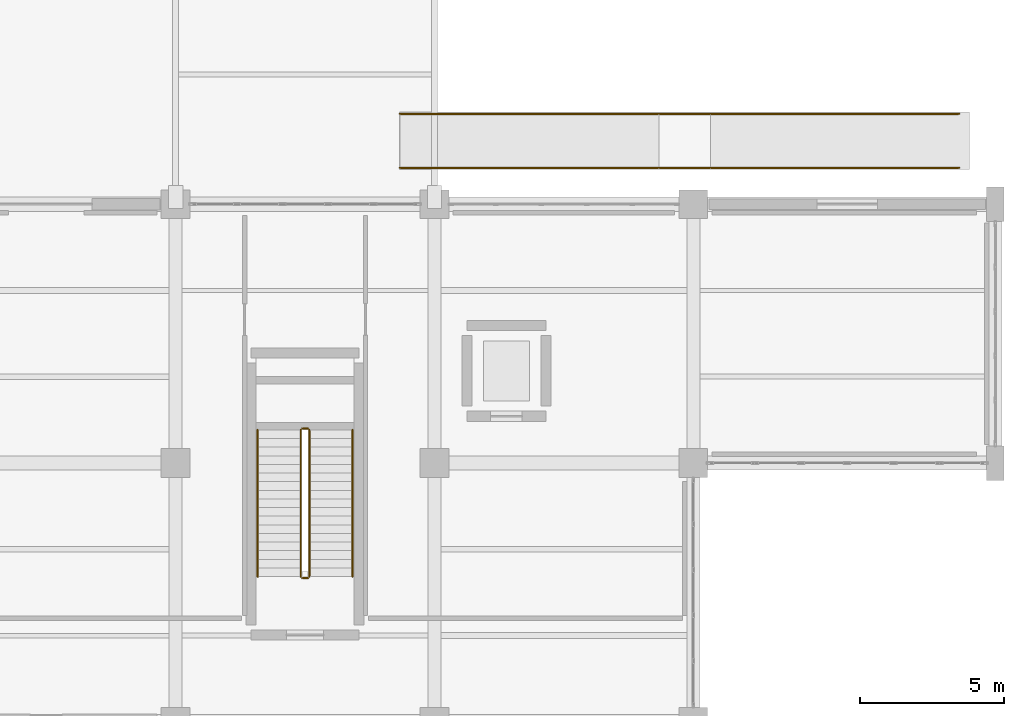
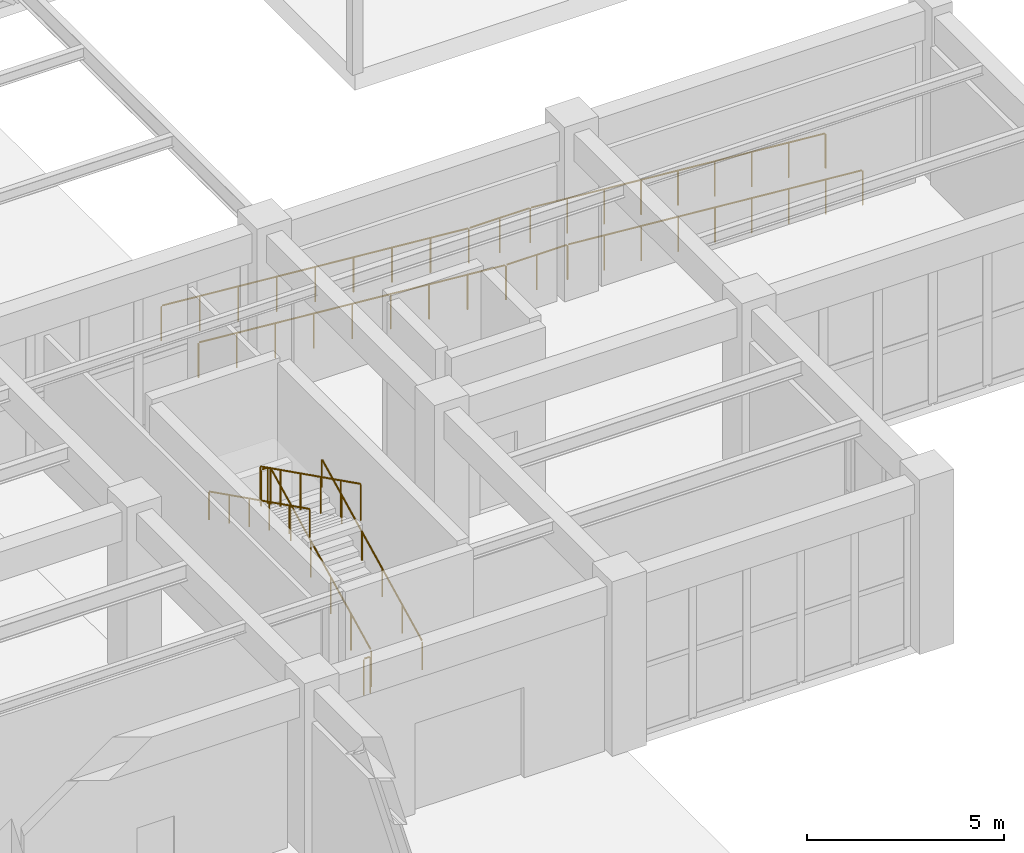
# One storey, part 137 of 140: 8 railings.
"""IFC4 building model written with IfcOpenShell, lengths in metres."""

import ifcopenshell
import ifcopenshell.guid

model = None  # the IFC model being written
_history = None  # IfcOwnerHistory: only IFC2X3 demands one
_inside = {}  # id of a spatial element -> (the spatial element, [elements in it])
_under = {}  # id of a project, library or spatial element -> (it, [spatial elements below it])
_declared = {}  # id of a project -> (the project, [libraries it declares])
_typed = {}  # id of a type object -> (the type object, [elements of that type])
_made_of = {}  # id of a material, layer set ... -> (it, [elements and type objects made of it])


def new_model(schema):
    """Start an empty IFC model of exactly this schema.

    Asked for "IFC4X3", IfcOpenShell would pick the latest addendum, in which some entities
    have other attributes; the version numbers below select the first issue.
    IFC2X3 requires an IfcOwnerHistory on every rooted entity: one is made here for all.
    """
    global model, _history
    if schema == "IFC4X3":
        model = ifcopenshell.file(schema_version=(4, 3, 0, 0))
    else:
        model = ifcopenshell.file(schema=schema)
    _inside.clear()
    _under.clear()
    _declared.clear()
    _typed.clear()
    _made_of.clear()
    _history = None
    if model.schema == "IFC2X3":
        org = make("IfcOrganization", Name="unknown")
        user = make(
            "IfcPersonAndOrganization",
            ThePerson=make("IfcPerson", FamilyName="unknown"),
            TheOrganization=org,
        )
        app = make(
            "IfcApplication",
            ApplicationDeveloper=org,
            Version="unknown",
            ApplicationFullName="unknown",
            ApplicationIdentifier="unknown",
        )
        _history = make(
            "IfcOwnerHistory",
            OwningUser=user,
            OwningApplication=app,
            ChangeAction="ADDED",
            CreationDate=0,
        )
    return model


def make(cls, **values):
    """One entity of the class cls with the attributes given. An attribute that is None is left unset."""
    return model.create_entity(
        cls, **{name: value for name, value in values.items() if value is not None}
    )


def rooted(cls, **values):
    """An entity with a GlobalId (a new one), such as an element, a storey or a relation."""
    return make(cls, GlobalId=ifcopenshell.guid.new(), OwnerHistory=_history, **values)


def si_unit(unit_type, name, prefix=None):
    """IfcSIUnit, for example si_unit("LENGTHUNIT", "METRE", prefix="MILLI")."""
    return make("IfcSIUnit", UnitType=unit_type, Prefix=prefix, Name=name)


def assignment(units):
    """IfcUnitAssignment: the units of a project."""
    return None if units is None else make("IfcUnitAssignment", Units=units)


def point(xyz):
    """IfcCartesianPoint."""
    return None if xyz is None else make("IfcCartesianPoint", Coordinates=xyz)


def direction(xyz):
    """IfcDirection."""
    return None if xyz is None else make("IfcDirection", DirectionRatios=xyz)


def frame(location, z_axis=None, x_axis=None):
    """IfcAxis2Placement3D, a coordinate frame: its origin and axes. An axis left out is left unset."""
    return make(
        "IfcAxis2Placement3D",
        Location=point(location),
        Axis=direction(z_axis),
        RefDirection=direction(x_axis),
    )


def frame_2d(location, x_axis=None):
    """IfcAxis2Placement2D, a coordinate frame in the plane: its origin and x axis."""
    return make(
        "IfcAxis2Placement2D", Location=point(location), RefDirection=direction(x_axis)
    )


def origin():
    """The frame at (0, 0, 0) with its axes left unset."""
    return frame((0.0, 0.0, 0.0))


def origin_2d():
    """The frame at (0, 0) in the plane with its x axis left unset."""
    return frame_2d((0.0, 0.0))


def place(relative_to, where):
    """IfcLocalPlacement: puts the frame where relative to a parent placement (None: the world)."""
    return make(
        "IfcLocalPlacement", PlacementRelTo=relative_to, RelativePlacement=where
    )


def context(
    kind, dimensions, precision=None, world=None, true_north=None, identifier=None
):
    """IfcGeometricRepresentationContext, for example the 3D "Model" context."""
    return make(
        "IfcGeometricRepresentationContext",
        ContextIdentifier=identifier,
        ContextType=kind,
        CoordinateSpaceDimension=dimensions,
        Precision=precision,
        WorldCoordinateSystem=world,
        TrueNorth=true_north,
    )


def subcontext(parent, identifier, kind, view, scale=None):
    """IfcGeometricRepresentationSubContext, for example "Body" below "Model"."""
    return make(
        "IfcGeometricRepresentationSubContext",
        ContextIdentifier=identifier,
        ContextType=kind,
        ParentContext=parent,
        TargetScale=scale,
        TargetView=view,
    )


def project(units=None, contexts=None):
    """IfcProject with its units and contexts."""
    return rooted(
        "IfcProject",
        Name="project",
        RepresentationContexts=contexts,
        UnitsInContext=assignment(units),
    )


def spatial(cls, under=None, at=None, **own):
    """A site, building, storey or space (cls), placed at a placement, below another one or the project."""
    s = rooted(cls, ObjectPlacement=at, **own)
    if under is not None:
        _under.setdefault(under.id(), (under, []))[1].append(s)
    return s


def profile(cls, at=None, kind="AREA", **sizes):
    """A parametric profile (cls). Its sizes go by their IFC names, for example OverallWidth=200.0."""
    return make(cls, ProfileType=kind, Position=at, **sizes)


def circle(**sizes):
    """IfcCircleProfileDef."""
    return profile("IfcCircleProfileDef", **sizes)


def extrude(swept, where, along, depth):
    """IfcExtrudedAreaSolid: the profile swept, set in the frame where, extruded along a direction by depth."""
    return make(
        "IfcExtrudedAreaSolid",
        SweptArea=swept,
        Position=where,
        ExtrudedDirection=direction(along),
        Depth=depth,
    )


def shape(context_of_items, identifier, shape_type, items):
    """IfcShapeRepresentation: the items that make up one representation, for example the "Body"."""
    return make(
        "IfcShapeRepresentation",
        ContextOfItems=context_of_items,
        RepresentationIdentifier=identifier,
        RepresentationType=shape_type,
        Items=items,
    )


def material(Name=None, Category=None):
    """IfcMaterial."""
    return make("IfcMaterial", Name=Name, Category=Category)


def made_of(thing, what):
    """Note that an element or type object is made of a material, layer set ...; save() writes the relation."""
    if what is not None:
        _made_of.setdefault(what.id(), (what, []))[1].append(thing)
    return thing


def type_object(cls, material=None, **own):
    """A type object (cls), such as IfcWallType, which elements share."""
    return made_of(rooted(cls, **own), material)


def element(
    cls,
    number,
    at=None,
    inside=None,
    cuts=None,
    type_object=None,
    material=None,
    context=None,
    identifier="Body",
    shape_type=None,
    held_by="IfcProductDefinitionShape",
    body=None,
    shapes=None,
    **own,
):
    """One element of the class cls, such as IfcWall. Its Tag is "e" and its number.

    at: its placement. inside: the storey or other place that contains it. cuts: it is an
    opening in that element (IfcRelVoidsElement). A single representation is given by context,
    identifier, shape_type and body (its items); several are given by shapes. held_by: the class
    of the entity that holds the representations. save() writes the other relations.
    """
    e = rooted(cls, Tag="e%d" % number, ObjectPlacement=at, **own)
    if body is not None:
        shapes = [shape(context, identifier, shape_type, body)]
    if shapes is not None:
        e.Representation = make(held_by, Representations=shapes)
    if inside is not None:
        _inside.setdefault(inside.id(), (inside, []))[1].append(e)
    if cuts is not None:
        rooted(
            "IfcRelVoidsElement", RelatingBuildingElement=cuts, RelatedOpeningElement=e
        )
    if type_object is not None:
        _typed.setdefault(type_object.id(), (type_object, []))[1].append(e)
    return made_of(e, material)


def aggregate(whole, parts):
    """IfcRelAggregates: a whole, such as a stair, and the parts it consists of."""
    return rooted("IfcRelAggregates", RelatingObject=whole, RelatedObjects=parts)


def save(model, path):
    """Write the relations noted so far, then the file.

    IfcRelAggregates (storeys below a building ...), IfcRelContainedInSpatialStructure (elements
    in a storey), IfcRelDefinesByType, IfcRelAssociatesMaterial and IfcRelDeclares: one each for
    every whole, place, type object, material and project.
    """
    for whole, parts in _under.values():
        aggregate(whole, parts)
    for where, things in _inside.values():
        rooted(
            "IfcRelContainedInSpatialStructure",
            RelatedElements=things,
            RelatingStructure=where,
        )
    for kind, things in _typed.values():
        rooted("IfcRelDefinesByType", RelatedObjects=things, RelatingType=kind)
    for what, things in _made_of.values():
        rooted("IfcRelAssociatesMaterial", RelatedObjects=things, RelatingMaterial=what)
    for by, libraries in _declared.values():
        rooted("IfcRelDeclares", RelatingContext=by, RelatedDefinitions=libraries)
    model.write(path)


model = new_model("IFC4")

# Units and contexts
model_context = context("Model", 3, precision=1e-05, world=origin(), true_north=direction((0.0, 1.0)))
body_context = subcontext(model_context, "Body", "Model", "MODEL_VIEW")
ifc_project = project(units=[si_unit("LENGTHUNIT", "METRE"), si_unit("AREAUNIT", "SQUARE_METRE"), si_unit("VOLUMEUNIT", "CUBIC_METRE"), si_unit("PLANEANGLEUNIT", "RADIAN"), si_unit("MASSUNIT", "GRAM", prefix="KILO")], contexts=[model_context])

# Site, building, storey
site_placement = place(None, origin())
site = spatial("IfcSite", under=ifc_project, at=site_placement, CompositionType="ELEMENT")
building_placement = place(site_placement, origin())
building = spatial("IfcBuilding", under=site, at=building_placement, Name="Haizhuo Lancet Aquarium", CompositionType="ELEMENT")
storey_placement = place(building_placement, origin())
storey = spatial("IfcBuildingStorey", under=building, at=storey_placement, Name="L00", CompositionType="ELEMENT", Elevation=0.0)

# Railings
ifc_material = material(Name="Steel S355", Category="steel")
railing_type_1 = type_object("IfcRailingType", Name="RL-GRD-1150", PredefinedType="GUARDRAIL", material=ifc_material)
railing_1_placement = place(storey_placement, frame((58.64990234375, -21.949951171875, 0.14990234375)))
element("IfcRailing", 1, at=railing_1_placement, inside=storey, type_object=railing_type_1, Name="L00 ST-05 stair guard 1", PredefinedType="GUARDRAIL", context=body_context, shape_type="SweptSolid", body=[
    extrude(circle(Radius=0.02392578125, at=origin_2d()), frame((0.0, 0.02685546875, 1.13916015625), z_axis=(0.0, 0.894418627299, 0.447230722492), x_axis=(-1.0, 0.0, 0.0)), (0.0, 0.0, 1.0), 5.641845703125),
    extrude(circle(Radius=0.02099609375, at=origin_2d()), origin(), (0.0, 0.0, 1.0), 1.097900390625),
    extrude(circle(Radius=0.02099609375, at=origin_2d()), frame((0.0, 1.02001953125, 0.510009765625)), (0.0, 0.0, 1.0), 1.097900390625),
    extrude(circle(Radius=0.02099609375, at=origin_2d()), frame((0.0, 2.0400390625, 1.02001953125)), (0.0, 0.0, 1.0), 1.097900390625),
    extrude(circle(Radius=0.02099609375, at=origin_2d()), frame((0.0, 3.059814453125, 1.530029296875)), (0.0, 0.0, 1.0), 1.097900390625),
    extrude(circle(Radius=0.02099609375, at=origin_2d()), frame((0.0, 4.079833984375, 2.0400390625)), (0.0, 0.0, 1.0), 1.097900390625),
    extrude(circle(Radius=0.02099609375, at=origin_2d()), frame((0.0, 5.099853515625, 2.550048828125)), (0.0, 0.0, 1.0), 1.097900390625),
])
railing_2_placement = place(storey_placement, frame((58.60009765625, -16.800048828125, 2.699951171875)))
element("IfcRailing", 2, at=railing_2_placement, inside=storey, type_object=railing_type_1, Name="L00 ST-05 stair guard 2", PredefinedType="GUARDRAIL", context=body_context, shape_type="SweptSolid", body=[
    extrude(circle(Radius=0.02392578125, at=origin_2d()), frame((-0.030029296875, 0.0, 1.1259765625), z_axis=(-1.0, 0.0, 0.0), x_axis=(0.0, -1.0, 0.0)), (0.0, 0.0, 1.0), 0.14013671875),
    extrude(circle(Radius=0.02099609375, at=origin_2d()), origin(), (0.0, 0.0, 1.0), 1.097900390625),
    extrude(circle(Radius=0.02099609375, at=origin_2d()), frame((-0.2001953125, 0.0, 0.0)), (0.0, 0.0, 1.0), 1.097900390625),
])
railing_3_placement = place(storey_placement, frame((58.35009765625, -16.85009765625, 2.85009765625)))
element("IfcRailing", 3, at=railing_3_placement, inside=storey, type_object=railing_type_1, Name="L00 ST-05 stair guard 3", PredefinedType="GUARDRAIL", context=body_context, shape_type="SweptSolid", body=[
    extrude(circle(Radius=0.02392578125, at=origin_2d()), frame((0.0, -0.02685546875, 1.13916015625), z_axis=(0.0, -0.894435754537, 0.447196468016), x_axis=(1.0, 0.0, 0.0)), (0.0, 0.0, 1.0), 5.641845703125),
    extrude(circle(Radius=0.02099609375, at=origin_2d()), origin(), (0.0, 0.0, 1.0), 1.097900390625),
    extrude(circle(Radius=0.02099609375, at=origin_2d()), frame((0.0, -1.02001953125, 0.510009765625)), (0.0, 0.0, 1.0), 1.097900390625),
    extrude(circle(Radius=0.02099609375, at=origin_2d()), frame((0.0, -2.0400390625, 1.02001953125)), (0.0, 0.0, 1.0), 1.097900390625),
    extrude(circle(Radius=0.02099609375, at=origin_2d()), frame((0.0, -3.059814453125, 1.52978515625)), (0.0, 0.0, 1.0), 1.097900390625),
    extrude(circle(Radius=0.02099609375, at=origin_2d()), frame((0.0, -4.079833984375, 2.039794921875)), (0.0, 0.0, 1.0), 1.097900390625),
    extrude(circle(Radius=0.02099609375, at=origin_2d()), frame((0.0, -5.099853515625, 2.5498046875)), (0.0, 0.0, 1.0), 1.097900390625),
])
railing_4_placement = place(storey_placement, frame((58.60009765625, -22.0, 0.0)))
element("IfcRailing", 4, at=railing_4_placement, inside=storey, type_object=railing_type_1, Name="L00 ST-05 stair guard 4", PredefinedType="GUARDRAIL", context=body_context, shape_type="SweptSolid", body=[
    extrude(circle(Radius=0.02392578125, at=origin_2d()), frame((-0.030029296875, 0.0, 1.1259765625), z_axis=(-1.0, 0.0, 0.0), x_axis=(0.0, -1.0, 0.0)), (0.0, 0.0, 1.0), 0.14013671875),
    extrude(circle(Radius=0.02099609375, at=origin_2d()), origin(), (0.0, 0.0, 1.0), 1.097900390625),
    extrude(circle(Radius=0.02099609375, at=origin_2d()), frame((-0.2001953125, 0.0, 0.0)), (0.0, 0.0, 1.0), 1.097900390625),
])
railing_5_placement = place(storey_placement, frame((81.239990234375, -7.739990234375, -1.469970703125)))
element("IfcRailing", 5, at=railing_5_placement, inside=storey, type_object=railing_type_1, material=ifc_material, Name="East Avenue Accessible Plinth Ramp RMP-02 edge rail 1", PredefinedType="GUARDRAIL", context=body_context, shape_type="SweptSolid", body=[
    extrude(circle(Radius=0.02392578125, at=origin_2d()), frame((-0.02978515625, 0.0, 1.07861328125), z_axis=(-0.996545952447, 0.0, 0.08304314939), x_axis=(0.0, -1.0, 0.0)), (0.0, 0.0, 1.0), 8.60986328125),
    extrude(circle(Radius=0.02392578125, at=origin_2d()), frame((-8.669921875, 0.0, 1.7958984375), z_axis=(-1.0, 0.0, 0.0), x_axis=(0.0, -1.0, 0.0)), (0.0, 0.0, 1.0), 1.739990234375),
    extrude(circle(Radius=0.02392578125, at=origin_2d()), frame((-10.4697265625, 0.0, 1.798583984375), z_axis=(-0.996545758245, 0.0, 0.083045479854), x_axis=(0.0, -1.0, 0.0)), (0.0, 0.0, 1.0), 8.97119140625),
    extrude(circle(Radius=0.02099609375, at=origin_2d()), origin(), (0.0, 0.0, 1.0), 1.048095703125),
    extrude(circle(Radius=0.02099609375, at=origin_2d()), frame((-1.080078125, 0.0, 0.090087890625)), (0.0, 0.0, 1.0), 1.048095703125),
    extrude(circle(Radius=0.02099609375, at=origin_2d()), frame((-2.159912109375, 0.0, 0.179931640625)), (0.0, 0.0, 1.0), 1.048095703125),
    extrude(circle(Radius=0.02099609375, at=origin_2d()), frame((-3.239990234375, 0.0, 0.27001953125)), (0.0, 0.0, 1.0), 1.048095703125),
    extrude(circle(Radius=0.02099609375, at=origin_2d()), frame((-4.31982421875, 0.0, 0.35986328125)), (0.0, 0.0, 1.0), 1.048095703125),
    extrude(circle(Radius=0.02099609375, at=origin_2d()), frame((-5.39990234375, 0.0, 0.449951171875)), (0.0, 0.0, 1.0), 1.048095703125),
    extrude(circle(Radius=0.02099609375, at=origin_2d()), frame((-6.47998046875, 0.0, 0.5400390625)), (0.0, 0.0, 1.0), 1.048095703125),
    extrude(circle(Radius=0.02099609375, at=origin_2d()), frame((-7.559814453125, 0.0, 0.6298828125)), (0.0, 0.0, 1.0), 1.048095703125),
    extrude(circle(Radius=0.02099609375, at=origin_2d()), frame((-8.639892578125, 0.0, 0.719970703125)), (0.0, 0.0, 1.0), 1.048095703125),
    extrude(circle(Radius=0.02099609375, at=origin_2d()), frame((-9.5400390625, 0.0, 0.719970703125)), (0.0, 0.0, 1.0), 1.048095703125),
    extrude(circle(Radius=0.02099609375, at=origin_2d()), frame((-10.43994140625, 0.0, 0.719970703125)), (0.0, 0.0, 1.0), 1.048095703125),
    extrude(circle(Radius=0.02099609375, at=origin_2d()), frame((-11.56494140625, 0.0, 0.813720703125)), (0.0, 0.0, 1.0), 1.048095703125),
    extrude(circle(Radius=0.02099609375, at=origin_2d()), frame((-12.68994140625, 0.0, 0.907470703125)), (0.0, 0.0, 1.0), 1.048095703125),
    extrude(circle(Radius=0.02099609375, at=origin_2d()), frame((-13.81494140625, 0.0, 1.001220703125)), (0.0, 0.0, 1.0), 1.048095703125),
    extrude(circle(Radius=0.02099609375, at=origin_2d()), frame((-14.93994140625, 0.0, 1.094970703125)), (0.0, 0.0, 1.0), 1.048095703125),
    extrude(circle(Radius=0.02099609375, at=origin_2d()), frame((-16.06494140625, 0.0, 1.188720703125)), (0.0, 0.0, 1.0), 1.048095703125),
    extrude(circle(Radius=0.02099609375, at=origin_2d()), frame((-17.18994140625, 0.0, 1.282470703125)), (0.0, 0.0, 1.0), 1.048095703125),
    extrude(circle(Radius=0.02099609375, at=origin_2d()), frame((-18.31494140625, 0.0, 1.376220703125)), (0.0, 0.0, 1.0), 1.048095703125),
    extrude(circle(Radius=0.02099609375, at=origin_2d()), frame((-19.43994140625, 0.0, 1.469970703125)), (0.0, 0.0, 1.0), 1.048095703125),
])
railing_6_placement = place(storey_placement, frame((81.239990234375, -5.860107421875, -1.469970703125)))
element("IfcRailing", 6, at=railing_6_placement, inside=storey, type_object=railing_type_1, material=ifc_material, Name="East Avenue Accessible Plinth Ramp RMP-02 edge rail 2", PredefinedType="GUARDRAIL", context=body_context, shape_type="SweptSolid", body=[
    extrude(circle(Radius=0.02392578125, at=origin_2d()), frame((-0.02978515625, 0.0, 1.07861328125), z_axis=(-0.996545952447, 0.0, 0.08304314939), x_axis=(0.0, -1.0, 0.0)), (0.0, 0.0, 1.0), 8.60986328125),
    extrude(circle(Radius=0.02392578125, at=origin_2d()), frame((-8.669921875, 0.0, 1.7958984375), z_axis=(-1.0, 0.0, 0.0), x_axis=(0.0, -1.0, 0.0)), (0.0, 0.0, 1.0), 1.739990234375),
    extrude(circle(Radius=0.02392578125, at=origin_2d()), frame((-10.4697265625, 0.0, 1.798583984375), z_axis=(-0.996545758245, 0.0, 0.083045479854), x_axis=(0.0, -1.0, 0.0)), (0.0, 0.0, 1.0), 8.97119140625),
    extrude(circle(Radius=0.02099609375, at=origin_2d()), origin(), (0.0, 0.0, 1.0), 1.048095703125),
    extrude(circle(Radius=0.02099609375, at=origin_2d()), frame((-1.080078125, 0.0, 0.090087890625)), (0.0, 0.0, 1.0), 1.048095703125),
    extrude(circle(Radius=0.02099609375, at=origin_2d()), frame((-2.159912109375, 0.0, 0.179931640625)), (0.0, 0.0, 1.0), 1.048095703125),
    extrude(circle(Radius=0.02099609375, at=origin_2d()), frame((-3.239990234375, 0.0, 0.27001953125)), (0.0, 0.0, 1.0), 1.048095703125),
    extrude(circle(Radius=0.02099609375, at=origin_2d()), frame((-4.31982421875, 0.0, 0.35986328125)), (0.0, 0.0, 1.0), 1.048095703125),
    extrude(circle(Radius=0.02099609375, at=origin_2d()), frame((-5.39990234375, 0.0, 0.449951171875)), (0.0, 0.0, 1.0), 1.048095703125),
    extrude(circle(Radius=0.02099609375, at=origin_2d()), frame((-6.47998046875, 0.0, 0.5400390625)), (0.0, 0.0, 1.0), 1.048095703125),
    extrude(circle(Radius=0.02099609375, at=origin_2d()), frame((-7.559814453125, 0.0, 0.6298828125)), (0.0, 0.0, 1.0), 1.048095703125),
    extrude(circle(Radius=0.02099609375, at=origin_2d()), frame((-8.639892578125, 0.0, 0.719970703125)), (0.0, 0.0, 1.0), 1.048095703125),
    extrude(circle(Radius=0.02099609375, at=origin_2d()), frame((-9.5400390625, 0.0, 0.719970703125)), (0.0, 0.0, 1.0), 1.048095703125),
    extrude(circle(Radius=0.02099609375, at=origin_2d()), frame((-10.43994140625, 0.0, 0.719970703125)), (0.0, 0.0, 1.0), 1.048095703125),
    extrude(circle(Radius=0.02099609375, at=origin_2d()), frame((-11.56494140625, 0.0, 0.813720703125)), (0.0, 0.0, 1.0), 1.048095703125),
    extrude(circle(Radius=0.02099609375, at=origin_2d()), frame((-12.68994140625, 0.0, 0.907470703125)), (0.0, 0.0, 1.0), 1.048095703125),
    extrude(circle(Radius=0.02099609375, at=origin_2d()), frame((-13.81494140625, 0.0, 1.001220703125)), (0.0, 0.0, 1.0), 1.048095703125),
    extrude(circle(Radius=0.02099609375, at=origin_2d()), frame((-14.93994140625, 0.0, 1.094970703125)), (0.0, 0.0, 1.0), 1.048095703125),
    extrude(circle(Radius=0.02099609375, at=origin_2d()), frame((-16.06494140625, 0.0, 1.188720703125)), (0.0, 0.0, 1.0), 1.048095703125),
    extrude(circle(Radius=0.02099609375, at=origin_2d()), frame((-17.18994140625, 0.0, 1.282470703125)), (0.0, 0.0, 1.0), 1.048095703125),
    extrude(circle(Radius=0.02099609375, at=origin_2d()), frame((-18.31494140625, 0.0, 1.376220703125)), (0.0, 0.0, 1.0), 1.048095703125),
    extrude(circle(Radius=0.02099609375, at=origin_2d()), frame((-19.43994140625, 0.0, 1.469970703125)), (0.0, 0.0, 1.0), 1.048095703125),
])
railing_type_2 = type_object("IfcRailingType", Name="RL-HDR-900", PredefinedType="HANDRAIL", material=ifc_material)
railing_7_placement = place(storey_placement, frame((60.14990234375, -21.949951171875, 0.14990234375)))
element("IfcRailing", 7, at=railing_7_placement, inside=storey, type_object=railing_type_2, Name="L00 ST-05 pitch handrail 1", PredefinedType="HANDRAIL", context=body_context, shape_type="SweptSolid", body=[
    extrude(circle(Radius=0.02392578125, at=origin_2d()), frame((0.0, 0.02685546875, 0.88916015625), z_axis=(0.0, 0.894418627299, 0.447230722492), x_axis=(-1.0, 0.0, 0.0)), (0.0, 0.0, 1.0), 5.641845703125),
    extrude(circle(Radius=0.02099609375, at=origin_2d()), origin(), (0.0, 0.0, 1.0), 0.847900390625),
    extrude(circle(Radius=0.02099609375, at=origin_2d()), frame((0.0, 1.02001953125, 0.510009765625)), (0.0, 0.0, 1.0), 0.847900390625),
    extrude(circle(Radius=0.02099609375, at=origin_2d()), frame((0.0, 2.0400390625, 1.02001953125)), (0.0, 0.0, 1.0), 0.847900390625),
    extrude(circle(Radius=0.02099609375, at=origin_2d()), frame((0.0, 3.059814453125, 1.530029296875)), (0.0, 0.0, 1.0), 0.847900390625),
    extrude(circle(Radius=0.02099609375, at=origin_2d()), frame((0.0, 4.079833984375, 2.0400390625)), (0.0, 0.0, 1.0), 0.847900390625),
    extrude(circle(Radius=0.02099609375, at=origin_2d()), frame((0.0, 5.099853515625, 2.550048828125)), (0.0, 0.0, 1.0), 0.847900390625),
])
railing_8_placement = place(storey_placement, frame((56.85009765625, -16.85009765625, 2.85009765625)))
element("IfcRailing", 8, at=railing_8_placement, inside=storey, type_object=railing_type_2, Name="L00 ST-05 pitch handrail 2", PredefinedType="HANDRAIL", context=body_context, shape_type="SweptSolid", body=[
    extrude(circle(Radius=0.02392578125, at=origin_2d()), frame((0.0, -0.02685546875, 0.88916015625), z_axis=(0.0, -0.894435754537, 0.447196468016), x_axis=(1.0, 0.0, 0.0)), (0.0, 0.0, 1.0), 5.641845703125),
    extrude(circle(Radius=0.02099609375, at=origin_2d()), origin(), (0.0, 0.0, 1.0), 0.847900390625),
    extrude(circle(Radius=0.02099609375, at=origin_2d()), frame((0.0, -1.02001953125, 0.510009765625)), (0.0, 0.0, 1.0), 0.847900390625),
    extrude(circle(Radius=0.02099609375, at=origin_2d()), frame((0.0, -2.0400390625, 1.02001953125)), (0.0, 0.0, 1.0), 0.847900390625),
    extrude(circle(Radius=0.02099609375, at=origin_2d()), frame((0.0, -3.059814453125, 1.52978515625)), (0.0, 0.0, 1.0), 0.847900390625),
    extrude(circle(Radius=0.02099609375, at=origin_2d()), frame((0.0, -4.079833984375, 2.039794921875)), (0.0, 0.0, 1.0), 0.847900390625),
    extrude(circle(Radius=0.02099609375, at=origin_2d()), frame((0.0, -5.099853515625, 2.5498046875)), (0.0, 0.0, 1.0), 0.847900390625),
])

save(model, "model.ifc")
